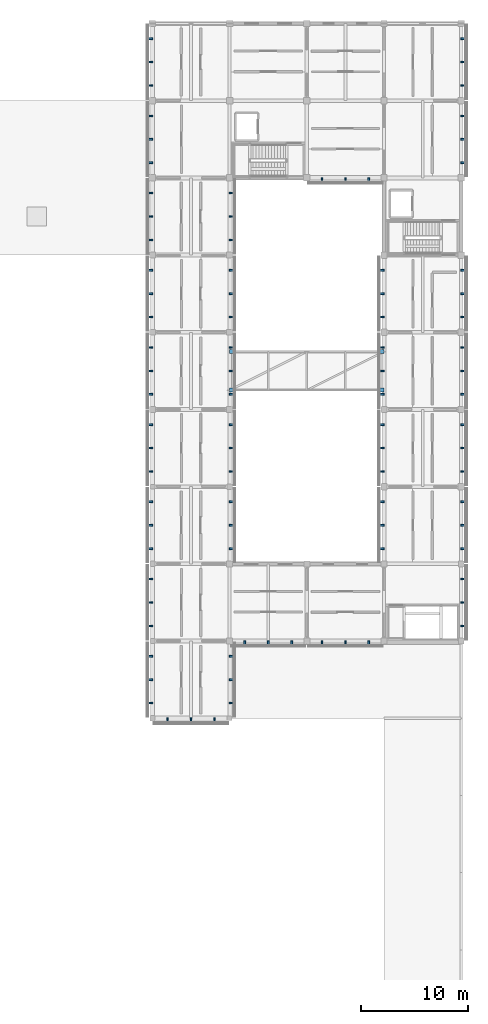
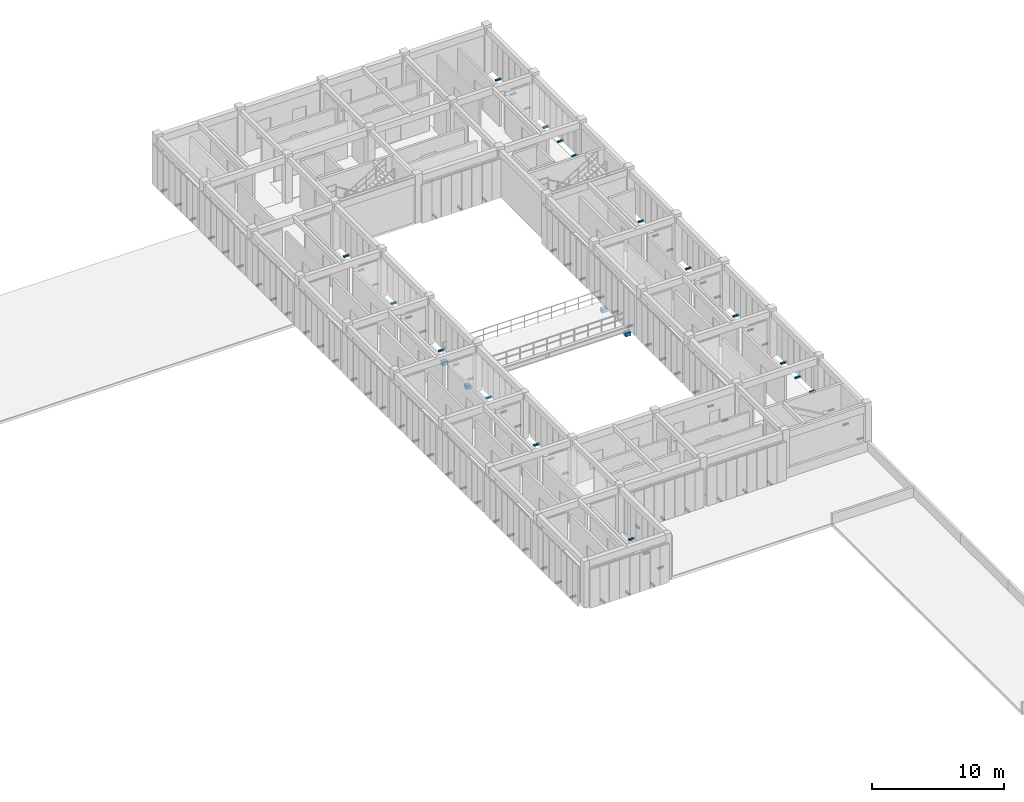
# One storey, part 85 of 91: 94 discrete accessories.
"""IFC4 building model written with IfcOpenShell, lengths in metres."""

from ifc_helpers import new_model, si_unit, direction, frame, origin, origin_2d, place, context, subcontext, project, spatial, rectangle, extrude, material, type_object, element, save


model = new_model("IFC4")

# Units and contexts
model_context = context("Model", 3, precision=1e-05, world=origin(), true_north=direction((0.0, 1.0)))
body_context = subcontext(model_context, "Body", "Model", "MODEL_VIEW")
ifc_project = project(units=[si_unit("LENGTHUNIT", "METRE"), si_unit("AREAUNIT", "SQUARE_METRE"), si_unit("VOLUMEUNIT", "CUBIC_METRE"), si_unit("PLANEANGLEUNIT", "RADIAN"), si_unit("MASSUNIT", "GRAM", prefix="KILO")], contexts=[model_context])

# Site, building, storey
site_placement = place(None, origin())
site = spatial("IfcSite", under=ifc_project, at=site_placement, CompositionType="ELEMENT")
building_placement = place(site_placement, origin())
building = spatial("IfcBuilding", under=site, at=building_placement, Name="Aldebral Square Health Centre", CompositionType="ELEMENT")
storey_placement = place(building_placement, frame((0.0, 0.0, 9.0)))
storey = spatial("IfcBuildingStorey", under=building, at=storey_placement, Name="L02", CompositionType="ELEMENT", Elevation=9.0)

# Discrete accessories
ifc_material_1 = material(Name="Steel S355JR", Category="steel")
discrete_accessory_type_1 = type_object("IfcDiscreteAccessoryType", Name="ACC-BRK-1", PredefinedType="BRACKET", material=ifc_material_1)
for number, where, z_axis, x_axis, name in (
    (1, (138.216064453125, 50.169921875, -0.009765625), (0.0, 0.0, 1.0), (1.0, 0.0, 0.0), "L02 finned curtain-wall bracket L02-V5-19-07-S.1"),
    (2, (140.39990234375, 50.169921875, -0.009765625), (0.0, 0.0, 1.0), (1.0, 0.0, 0.0), "L02 finned curtain-wall bracket L02-V5-19-07-S.2"),
    (3, (142.583984375, 50.169921875, -0.009765625), (0.0, 0.0, 1.0), (1.0, 0.0, 0.0), "L02 finned curtain-wall bracket L02-V5-19-07-S.3"),
    (4, (136.570068359375, 56.18408203125, -0.009765625), (0.0, 0.0, 1.0), (0.0, 1.0, 0.0), "L02 finned curtain-wall bracket L02-V5-19-07-W.1"),
    (5, (136.570068359375, 54.0, -0.009765625), (0.0, 0.0, 1.0), (0.0, 1.0, 0.0), "L02 finned curtain-wall bracket L02-V5-19-07-W.2"),
    (6, (136.570068359375, 51.81591796875, -0.009765625), (0.0, 0.0, 1.0), (0.0, 1.0, 0.0), "L02 finned curtain-wall bracket L02-V5-19-07-W.3"),
    (7, (144.22998046875, 51.81591796875, -0.009765625), (0.0, 0.0, 1.0), (0.0, 1.0, 0.0), "L02 finned curtain-wall bracket L02-V5-19-07-E.1"),
    (8, (144.22998046875, 54.0, -0.009765625), (0.0, 0.0, 1.0), (0.0, 1.0, 0.0), "L02 finned curtain-wall bracket L02-V5-19-07-E.2"),
    (9, (144.22998046875, 56.18408203125, -0.009765625), (0.0, 0.0, 1.0), (0.0, 1.0, 0.0), "L02 finned curtain-wall bracket L02-V5-19-07-E.3"),
    (10, (136.570068359375, 63.384033203125, -0.009765625), (0.0, 0.0, 1.0), (0.0, 1.0, 0.0), "L02 finned curtain-wall bracket L02-V5-19-08-W.1"),
    (11, (136.570068359375, 61.199951171875, -0.009765625), (0.0, 0.0, 1.0), (0.0, 1.0, 0.0), "L02 finned curtain-wall bracket L02-V5-19-08-W.2"),
    (12, (136.570068359375, 59.01611328125, -0.009765625), (0.0, 0.0, 1.0), (0.0, 1.0, 0.0), "L02 finned curtain-wall bracket L02-V5-19-08-W.3"),
    (13, (136.570068359375, 70.583984375, -0.009765625), (0.0, 0.0, 1.0), (0.0, 1.0, 0.0), "L02 finned curtain-wall bracket L02-V5-19-09-W.1"),
    (14, (136.570068359375, 68.39990234375, -0.009765625), (0.0, 0.0, 1.0), (0.0, 1.0, 0.0), "L02 finned curtain-wall bracket L02-V5-19-09-W.2"),
    (15, (136.570068359375, 66.216064453125, -0.009765625), (0.0, 0.0, 1.0), (0.0, 1.0, 0.0), "L02 finned curtain-wall bracket L02-V5-19-09-W.3"),
    (16, (144.22998046875, 66.216064453125, -0.009765625), (0.0, 0.0, 1.0), (0.0, 1.0, 0.0), "L02 finned curtain-wall bracket L02-V5-19-09-E.1"),
    (17, (144.22998046875, 68.39990234375, -0.009765625), (0.0, 0.0, 1.0), (0.0, 1.0, 0.0), "L02 finned curtain-wall bracket L02-V5-19-09-E.2"),
    (18, (144.22998046875, 70.583984375, -0.009765625), (0.0, 0.0, 1.0), (0.0, 1.0, 0.0), "L02 finned curtain-wall bracket L02-V5-19-09-E.3"),
    (19, (136.570068359375, 77.783935546875, -0.009765625), (0.0, 0.0, 1.0), (0.0, 1.0, 0.0), "L02 finned curtain-wall bracket L02-V5-19-10-W.1"),
    (20, (136.570068359375, 75.60009765625, -0.009765625), (0.0, 0.0, 1.0), (0.0, 1.0, 0.0), "L02 finned curtain-wall bracket L02-V5-19-10-W.2"),
    (21, (136.570068359375, 73.416015625, -0.009765625), (0.0, 0.0, 1.0), (0.0, 1.0, 0.0), "L02 finned curtain-wall bracket L02-V5-19-10-W.3"),
    (22, (144.22998046875, 73.416015625, -0.009765625), (0.0, 0.0, 1.0), (0.0, 1.0, 0.0), "L02 finned curtain-wall bracket L02-V5-19-10-E.1"),
    (23, (144.22998046875, 75.60009765625, -0.009765625), (0.0, 0.0, 1.0), (0.0, 1.0, 0.0), "L02 finned curtain-wall bracket L02-V5-19-10-E.2"),
    (24, (144.22998046875, 77.783935546875, -0.009765625), (0.0, 0.0, 1.0), (0.0, 1.0, 0.0), "L02 finned curtain-wall bracket L02-V5-19-10-E.3"),
    (25, (136.570068359375, 84.98388671875, -0.009765625), (0.0, 0.0, 1.0), (0.0, 1.0, 0.0), "L02 finned curtain-wall bracket L02-V5-19-11-W.1"),
    (26, (136.570068359375, 82.800048828125, -0.009765625), (0.0, 0.0, 1.0), (0.0, 1.0, 0.0), "L02 finned curtain-wall bracket L02-V5-19-11-W.2"),
    (27, (136.570068359375, 80.615966796875, -0.009765625), (0.0, 0.0, 1.0), (0.0, 1.0, 0.0), "L02 finned curtain-wall bracket L02-V5-19-11-W.3"),
    (28, (144.22998046875, 80.615966796875, -0.009765625), (0.0, 0.0, 1.0), (0.0, 1.0, 0.0), "L02 finned curtain-wall bracket L02-V5-19-11-E.1"),
    (29, (144.22998046875, 82.800048828125, -0.009765625), (0.0, 0.0, 1.0), (0.0, 1.0, 0.0), "L02 finned curtain-wall bracket L02-V5-19-11-E.2"),
    (30, (144.22998046875, 84.98388671875, -0.009765625), (0.0, 0.0, 1.0), (0.0, 1.0, 0.0), "L02 finned curtain-wall bracket L02-V5-19-11-E.3"),
    (31, (136.570068359375, 92.18408203125, -0.009765625), (0.0, 0.0, 1.0), (0.0, 1.0, 0.0), "L02 finned curtain-wall bracket L02-V5-19-12-W.1"),
    (32, (136.570068359375, 90.0, -0.009765625), (0.0, 0.0, 1.0), (0.0, 1.0, 0.0), "L02 finned curtain-wall bracket L02-V5-19-12-W.2"),
    (33, (136.570068359375, 87.81591796875, -0.009765625), (0.0, 0.0, 1.0), (0.0, 1.0, 0.0), "L02 finned curtain-wall bracket L02-V5-19-12-W.3"),
    (34, (144.22998046875, 87.81591796875, -0.009765625), (0.0, 0.0, 1.0), (0.0, 1.0, 0.0), "L02 finned curtain-wall bracket L02-V5-19-12-E.1"),
    (35, (144.22998046875, 90.0, -0.009765625), (0.0, 0.0, 1.0), (0.0, 1.0, 0.0), "L02 finned curtain-wall bracket L02-V5-19-12-E.2"),
    (36, (144.22998046875, 92.18408203125, -0.009765625), (0.0, 0.0, 1.0), (0.0, 1.0, 0.0), "L02 finned curtain-wall bracket L02-V5-19-12-E.3"),
    (37, (136.570068359375, 99.384033203125, -0.009765625), (0.0, 0.0, 1.0), (0.0, 1.0, 0.0), "L02 finned curtain-wall bracket L02-V5-19-13-W.1"),
    (38, (136.570068359375, 97.199951171875, -0.009765625), (0.0, 0.0, 1.0), (0.0, 1.0, 0.0), "L02 finned curtain-wall bracket L02-V5-19-13-W.2"),
    (39, (136.570068359375, 95.01611328125, -0.009765625), (0.0, 0.0, 1.0), (0.0, 1.0, 0.0), "L02 finned curtain-wall bracket L02-V5-19-13-W.3"),
    (40, (144.22998046875, 95.01611328125, -0.009765625), (0.0, 0.0, 1.0), (0.0, 1.0, 0.0), "L02 finned curtain-wall bracket L02-V5-19-13-E.1"),
    (41, (144.22998046875, 97.199951171875, -0.009765625), (0.0, 0.0, 1.0), (0.0, 1.0, 0.0), "L02 finned curtain-wall bracket L02-V5-19-13-E.2"),
    (42, (144.22998046875, 99.384033203125, -0.009765625), (0.0, 0.0, 1.0), (0.0, 1.0, 0.0), "L02 finned curtain-wall bracket L02-V5-19-13-E.3"),
    (43, (136.570068359375, 106.583984375, -0.009765625), (0.0, 0.0, 1.0), (0.0, 1.0, 0.0), "L02 finned curtain-wall bracket L02-V5-19-14-W.1"),
    (44, (136.570068359375, 104.39990234375, -0.009765625), (0.0, 0.0, 1.0), (0.0, 1.0, 0.0), "L02 finned curtain-wall bracket L02-V5-19-14-W.2"),
    (45, (136.570068359375, 102.216064453125, -0.009765625), (0.0, 0.0, 1.0), (0.0, 1.0, 0.0), "L02 finned curtain-wall bracket L02-V5-19-14-W.3"),
    (46, (136.570068359375, 113.783935546875, -0.009765625), (0.0, 0.0, 1.0), (0.0, 1.0, 0.0), "L02 finned curtain-wall bracket L02-V5-19-15-W.1"),
    (47, (136.570068359375, 111.60009765625, -0.009765625), (0.0, 0.0, 1.0), (0.0, 1.0, 0.0), "L02 finned curtain-wall bracket L02-V5-19-15-W.2"),
    (48, (136.570068359375, 109.416015625, -0.009765625), (0.0, 0.0, 1.0), (0.0, 1.0, 0.0), "L02 finned curtain-wall bracket L02-V5-19-15-W.3"),
    (49, (145.416015625, 57.3701171875, -0.009765625), (0.0, 0.0, 1.0), (1.0, 0.0, 0.0), "L02 finned curtain-wall bracket L02-V5-20-08-S.1"),
    (50, (147.60009765625, 57.3701171875, -0.009765625), (0.0, 0.0, 1.0), (1.0, 0.0, 0.0), "L02 finned curtain-wall bracket L02-V5-20-08-S.2"),
    (51, (149.783935546875, 57.3701171875, -0.009765625), (0.0, 0.0, 1.0), (1.0, 0.0, 0.0), "L02 finned curtain-wall bracket L02-V5-20-08-S.3"),
    (52, (152.615966796875, 57.3701171875, -0.009765625), (0.0, 0.0, 1.0), (1.0, 0.0, 0.0), "L02 finned curtain-wall bracket L02-V5-21-08-S.1"),
    (53, (154.800048828125, 57.3701171875, -0.009765625), (0.0, 0.0, 1.0), (1.0, 0.0, 0.0), "L02 finned curtain-wall bracket L02-V5-21-08-S.2"),
    (54, (156.98388671875, 57.3701171875, -0.009765625), (0.0, 0.0, 1.0), (1.0, 0.0, 0.0), "L02 finned curtain-wall bracket L02-V5-21-08-S.3"),
    (55, (152.615966796875, 100.570068359375, -0.009765625), (0.0, 0.0, 1.0), (1.0, 0.0, 0.0), "L02 finned curtain-wall bracket L02-V5-21-14-S.1"),
    (56, (154.800048828125, 100.570068359375, -0.009765625), (0.0, 0.0, 1.0), (1.0, 0.0, 0.0), "L02 finned curtain-wall bracket L02-V5-21-14-S.2"),
    (57, (156.98388671875, 100.570068359375, -0.009765625), (0.0, 0.0, 1.0), (1.0, 0.0, 0.0), "L02 finned curtain-wall bracket L02-V5-21-14-S.3"),
    (58, (165.830078125, 59.01611328125, -0.009765625), (0.0, 0.0, 1.0), (0.0, 1.0, 0.0), "L02 finned curtain-wall bracket L02-V5-22-08-E.1"),
    (59, (165.830078125, 61.199951171875, -0.009765625), (0.0, 0.0, 1.0), (0.0, 1.0, 0.0), "L02 finned curtain-wall bracket L02-V5-22-08-E.2"),
    (60, (165.830078125, 63.384033203125, -0.009765625), (0.0, 0.0, 1.0), (0.0, 1.0, 0.0), "L02 finned curtain-wall bracket L02-V5-22-08-E.3"),
    (61, (158.169921875, 70.583984375, -0.009765625), (0.0, 0.0, 1.0), (0.0, 1.0, 0.0), "L02 finned curtain-wall bracket L02-V5-22-09-W.1"),
    (62, (158.169921875, 68.39990234375, -0.009765625), (0.0, 0.0, 1.0), (0.0, 1.0, 0.0), "L02 finned curtain-wall bracket L02-V5-22-09-W.2"),
    (63, (158.169921875, 66.216064453125, -0.009765625), (0.0, 0.0, 1.0), (0.0, 1.0, 0.0), "L02 finned curtain-wall bracket L02-V5-22-09-W.3"),
    (64, (165.830078125, 66.216064453125, -0.009765625), (0.0, 0.0, 1.0), (0.0, 1.0, 0.0), "L02 finned curtain-wall bracket L02-V5-22-09-E.1"),
    (65, (165.830078125, 68.39990234375, -0.009765625), (0.0, 0.0, 1.0), (0.0, 1.0, 0.0), "L02 finned curtain-wall bracket L02-V5-22-09-E.2"),
    (66, (165.830078125, 70.583984375, -0.009765625), (0.0, 0.0, 1.0), (0.0, 1.0, 0.0), "L02 finned curtain-wall bracket L02-V5-22-09-E.3"),
    (67, (158.169921875, 77.783935546875, -0.009765625), (0.0, 0.0, 1.0), (0.0, 1.0, 0.0), "L02 finned curtain-wall bracket L02-V5-22-10-W.1"),
    (68, (158.169921875, 75.60009765625, -0.009765625), (0.0, 0.0, 1.0), (0.0, 1.0, 0.0), "L02 finned curtain-wall bracket L02-V5-22-10-W.2"),
    (69, (158.169921875, 73.416015625, -0.009765625), (0.0, 0.0, 1.0), (0.0, 1.0, 0.0), "L02 finned curtain-wall bracket L02-V5-22-10-W.3"),
    (70, (165.830078125, 73.416015625, -0.009765625), (0.0, 0.0, 1.0), (0.0, 1.0, 0.0), "L02 finned curtain-wall bracket L02-V5-22-10-E.1"),
    (71, (165.830078125, 75.60009765625, -0.009765625), (0.0, 0.0, 1.0), (0.0, 1.0, 0.0), "L02 finned curtain-wall bracket L02-V5-22-10-E.2"),
    (72, (165.830078125, 77.783935546875, -0.009765625), (0.0, 0.0, 1.0), (0.0, 1.0, 0.0), "L02 finned curtain-wall bracket L02-V5-22-10-E.3"),
    (73, (158.169921875, 84.98388671875, -0.009765625), (0.0, 0.0, 1.0), (0.0, 1.0, 0.0), "L02 finned curtain-wall bracket L02-V5-22-11-W.1"),
    (74, (158.169921875, 82.800048828125, -0.009765625), (0.0, 0.0, 1.0), (0.0, 1.0, 0.0), "L02 finned curtain-wall bracket L02-V5-22-11-W.2"),
    (75, (158.169921875, 80.615966796875, -0.009765625), (0.0, 0.0, 1.0), (0.0, 1.0, 0.0), "L02 finned curtain-wall bracket L02-V5-22-11-W.3"),
    (76, (165.830078125, 80.615966796875, -0.009765625), (0.0, 0.0, 1.0), (0.0, 1.0, 0.0), "L02 finned curtain-wall bracket L02-V5-22-11-E.1"),
    (77, (165.830078125, 82.800048828125, -0.009765625), (0.0, 0.0, 1.0), (0.0, 1.0, 0.0), "L02 finned curtain-wall bracket L02-V5-22-11-E.2"),
    (78, (165.830078125, 84.98388671875, -0.009765625), (0.0, 0.0, 1.0), (0.0, 1.0, 0.0), "L02 finned curtain-wall bracket L02-V5-22-11-E.3"),
    (79, (158.169921875, 92.18408203125, -0.009765625), (0.0, 0.0, 1.0), (0.0, 1.0, 0.0), "L02 finned curtain-wall bracket L02-V5-22-12-W.1"),
    (80, (158.169921875, 90.0, -0.009765625), (0.0, 0.0, 1.0), (0.0, 1.0, 0.0), "L02 finned curtain-wall bracket L02-V5-22-12-W.2"),
    (81, (158.169921875, 87.81591796875, -0.009765625), (0.0, 0.0, 1.0), (0.0, 1.0, 0.0), "L02 finned curtain-wall bracket L02-V5-22-12-W.3"),
    (82, (165.830078125, 87.81591796875, -0.009765625), (0.0, 0.0, 1.0), (0.0, 1.0, 0.0), "L02 finned curtain-wall bracket L02-V5-22-12-E.1"),
    (83, (165.830078125, 90.0, -0.009765625), (0.0, 0.0, 1.0), (0.0, 1.0, 0.0), "L02 finned curtain-wall bracket L02-V5-22-12-E.2"),
    (84, (165.830078125, 92.18408203125, -0.009765625), (0.0, 0.0, 1.0), (0.0, 1.0, 0.0), "L02 finned curtain-wall bracket L02-V5-22-12-E.3"),
    (85, (165.830078125, 102.216064453125, -0.009765625), (0.0, 0.0, 1.0), (0.0, 1.0, 0.0), "L02 finned curtain-wall bracket L02-V5-22-14-E.1"),
    (86, (165.830078125, 104.39990234375, -0.009765625), (0.0, 0.0, 1.0), (0.0, 1.0, 0.0), "L02 finned curtain-wall bracket L02-V5-22-14-E.2"),
    (87, (165.830078125, 106.583984375, -0.009765625), (0.0, 0.0, 1.0), (0.0, 1.0, 0.0), "L02 finned curtain-wall bracket L02-V5-22-14-E.3"),
    (88, (165.830078125, 109.416015625, -0.009765625), (0.0, 0.0, 1.0), (0.0, 1.0, 0.0), "L02 finned curtain-wall bracket L02-V5-22-15-E.1"),
    (89, (165.830078125, 111.60009765625, -0.009765625), (0.0, 0.0, 1.0), (0.0, 1.0, 0.0), "L02 finned curtain-wall bracket L02-V5-22-15-E.2"),
    (90, (165.830078125, 113.783935546875, -0.009765625), (0.0, 0.0, 1.0), (0.0, 1.0, 0.0), "L02 finned curtain-wall bracket L02-V5-22-15-E.3"),
):
    element("IfcDiscreteAccessory", number, at=place(storey_placement, frame(where, z_axis=z_axis, x_axis=x_axis)), inside=storey, type_object=discrete_accessory_type_1, Name=name, PredefinedType="BRACKET", context=body_context, shape_type="SweptSolid", body=[
        extrude(rectangle(XDim=0.159912109375, YDim=0.52001953125, at=origin_2d()), origin(), (0.0, 0.0, 1.0), 0.139892578125),
    ])
ifc_material_2 = material(Name="Concrete C40/50", Category="concrete")
discrete_accessory_type_2 = type_object("IfcDiscreteAccessoryType", Name="ACC-COR-1", PredefinedType="BRACKET", material=ifc_material_2)
for number, where, z_axis, x_axis, name in (
    (91, (144.22509765625, 81.0, -1.02001953125), (0.0, 0.0, 1.0), (1.0, 0.0, 0.0), "East Light Court Bridge L02 450mm sliding bearing corbel seat S1-W"),
    (92, (158.175048828125, 81.0, -1.02001953125), (0.0, 0.0, 1.0), (1.0, 0.0, 0.0), "East Light Court Bridge L02 450mm sliding bearing corbel seat S1-E"),
    (93, (144.22509765625, 84.60009765625, -1.02001953125), (0.0, 0.0, 1.0), (1.0, 0.0, 0.0), "East Light Court Bridge L02 450mm sliding bearing corbel seat S2-W"),
    (94, (158.175048828125, 84.60009765625, -1.02001953125), (0.0, 0.0, 1.0), (1.0, 0.0, 0.0), "East Light Court Bridge L02 450mm sliding bearing corbel seat S2-E"),
):
    element("IfcDiscreteAccessory", number, at=place(storey_placement, frame(where, z_axis=z_axis, x_axis=x_axis)), inside=storey, type_object=discrete_accessory_type_2, Name=name, PredefinedType="BRACKET", context=body_context, shape_type="SweptSolid", body=[
        extrude(rectangle(XDim=0.449951171875, YDim=0.360107421875, at=origin_2d()), origin(), (0.0, 0.0, 1.0), 0.35009765625),
    ])

save(model, "model.ifc")
